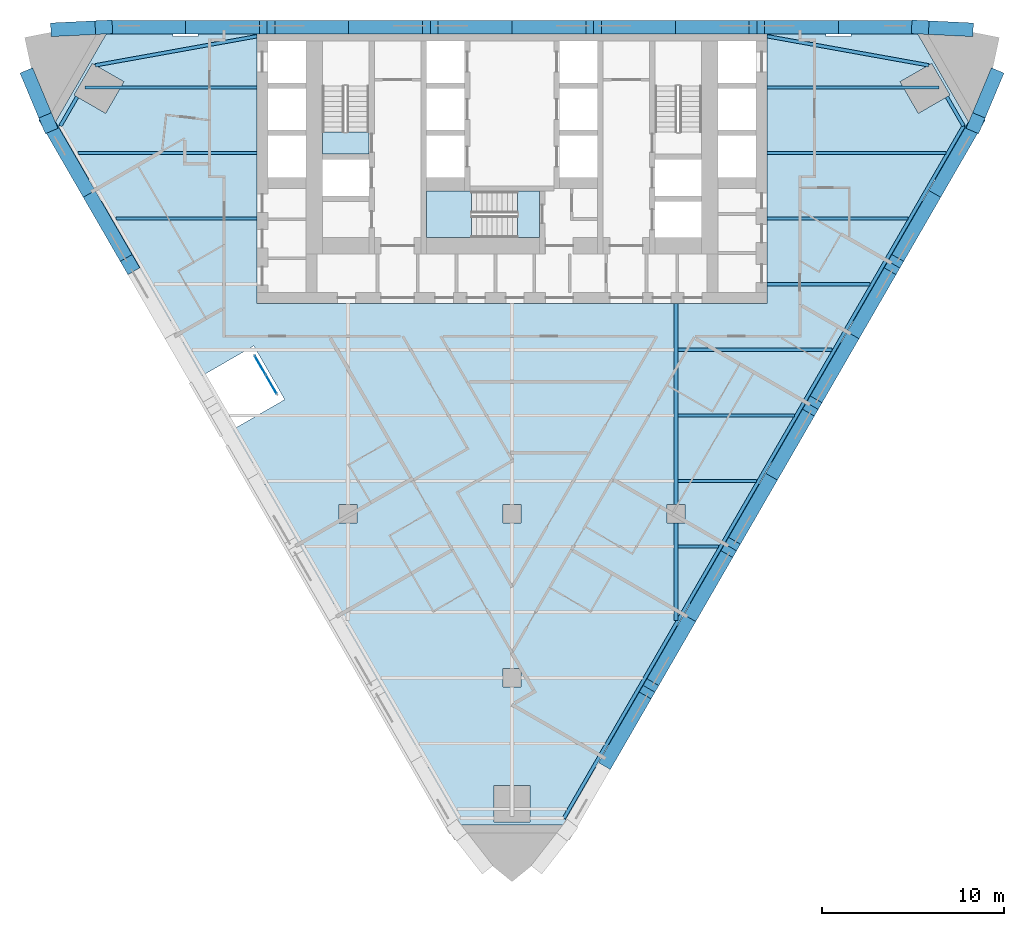
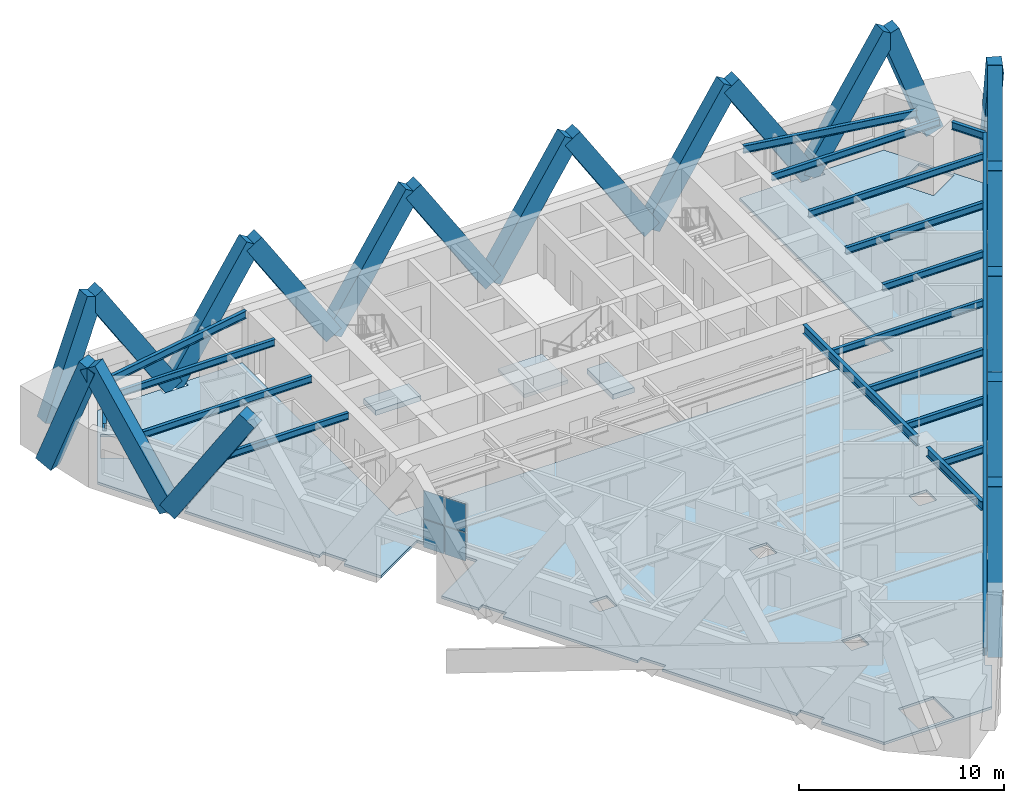
# One storey, part 3 of 12: 25 members, 18 beams, 4 plates, 4 slabs, 2 elements without a shape of their own.
"""IFC4 building model written with IfcOpenShell, lengths in metres."""

import ifcopenshell
import ifcopenshell.guid

model = None  # the IFC model being written
_history = None  # IfcOwnerHistory: only IFC2X3 demands one
_inside = {}  # id of a spatial element -> (the spatial element, [elements in it])
_under = {}  # id of a project, library or spatial element -> (it, [spatial elements below it])
_declared = {}  # id of a project -> (the project, [libraries it declares])
_typed = {}  # id of a type object -> (the type object, [elements of that type])
_made_of = {}  # id of a material, layer set ... -> (it, [elements and type objects made of it])


def new_model(schema):
    """Start an empty IFC model of exactly this schema.

    Asked for "IFC4X3", IfcOpenShell would pick the latest addendum, in which some entities
    have other attributes; the version numbers below select the first issue.
    IFC2X3 requires an IfcOwnerHistory on every rooted entity: one is made here for all.
    """
    global model, _history
    if schema == "IFC4X3":
        model = ifcopenshell.file(schema_version=(4, 3, 0, 0))
    else:
        model = ifcopenshell.file(schema=schema)
    _inside.clear()
    _under.clear()
    _declared.clear()
    _typed.clear()
    _made_of.clear()
    _history = None
    if model.schema == "IFC2X3":
        org = make("IfcOrganization", Name="unknown")
        user = make(
            "IfcPersonAndOrganization",
            ThePerson=make("IfcPerson", FamilyName="unknown"),
            TheOrganization=org,
        )
        app = make(
            "IfcApplication",
            ApplicationDeveloper=org,
            Version="unknown",
            ApplicationFullName="unknown",
            ApplicationIdentifier="unknown",
        )
        _history = make(
            "IfcOwnerHistory",
            OwningUser=user,
            OwningApplication=app,
            ChangeAction="ADDED",
            CreationDate=0,
        )
    return model


def make(cls, **values):
    """One entity of the class cls with the attributes given. An attribute that is None is left unset."""
    return model.create_entity(
        cls, **{name: value for name, value in values.items() if value is not None}
    )


def rooted(cls, **values):
    """An entity with a GlobalId (a new one), such as an element, a storey or a relation."""
    return make(cls, GlobalId=ifcopenshell.guid.new(), OwnerHistory=_history, **values)


def si_unit(unit_type, name, prefix=None):
    """IfcSIUnit, for example si_unit("LENGTHUNIT", "METRE", prefix="MILLI")."""
    return make("IfcSIUnit", UnitType=unit_type, Prefix=prefix, Name=name)


def assignment(units):
    """IfcUnitAssignment: the units of a project."""
    return None if units is None else make("IfcUnitAssignment", Units=units)


def point(xyz):
    """IfcCartesianPoint."""
    return None if xyz is None else make("IfcCartesianPoint", Coordinates=xyz)


def direction(xyz):
    """IfcDirection."""
    return None if xyz is None else make("IfcDirection", DirectionRatios=xyz)


def frame(location, z_axis=None, x_axis=None):
    """IfcAxis2Placement3D, a coordinate frame: its origin and axes. An axis left out is left unset."""
    return make(
        "IfcAxis2Placement3D",
        Location=point(location),
        Axis=direction(z_axis),
        RefDirection=direction(x_axis),
    )


def frame_2d(location, x_axis=None):
    """IfcAxis2Placement2D, a coordinate frame in the plane: its origin and x axis."""
    return make(
        "IfcAxis2Placement2D", Location=point(location), RefDirection=direction(x_axis)
    )


def origin():
    """The frame at (0, 0, 0) with its axes left unset."""
    return frame((0.0, 0.0, 0.0))


def origin_2d():
    """The frame at (0, 0) in the plane with its x axis left unset."""
    return frame_2d((0.0, 0.0))


def place(relative_to, where):
    """IfcLocalPlacement: puts the frame where relative to a parent placement (None: the world)."""
    return make(
        "IfcLocalPlacement", PlacementRelTo=relative_to, RelativePlacement=where
    )


def context(
    kind, dimensions, precision=None, world=None, true_north=None, identifier=None
):
    """IfcGeometricRepresentationContext, for example the 3D "Model" context."""
    return make(
        "IfcGeometricRepresentationContext",
        ContextIdentifier=identifier,
        ContextType=kind,
        CoordinateSpaceDimension=dimensions,
        Precision=precision,
        WorldCoordinateSystem=world,
        TrueNorth=true_north,
    )


def subcontext(parent, identifier, kind, view, scale=None):
    """IfcGeometricRepresentationSubContext, for example "Body" below "Model"."""
    return make(
        "IfcGeometricRepresentationSubContext",
        ContextIdentifier=identifier,
        ContextType=kind,
        ParentContext=parent,
        TargetScale=scale,
        TargetView=view,
    )


def project(units=None, contexts=None):
    """IfcProject with its units and contexts."""
    return rooted(
        "IfcProject",
        Name="project",
        RepresentationContexts=contexts,
        UnitsInContext=assignment(units),
    )


def spatial(cls, under=None, at=None, **own):
    """A site, building, storey or space (cls), placed at a placement, below another one or the project."""
    s = rooted(cls, ObjectPlacement=at, **own)
    if under is not None:
        _under.setdefault(under.id(), (under, []))[1].append(s)
    return s


def polyline(points):
    """IfcPolyline through the points."""
    return make("IfcPolyline", Points=[point(p) for p in points])


def profile(cls, at=None, kind="AREA", **sizes):
    """A parametric profile (cls). Its sizes go by their IFC names, for example OverallWidth=200.0."""
    return make(cls, ProfileType=kind, Position=at, **sizes)


def rectangle(**sizes):
    """IfcRectangleProfileDef."""
    return profile("IfcRectangleProfileDef", **sizes)


def i_section(**sizes):
    """IfcIShapeProfileDef."""
    return profile("IfcIShapeProfileDef", **sizes)


def outline(outer, holes=None, kind="AREA"):
    """IfcArbitraryClosedProfileDef: a profile drawn as a closed curve; with holes, ...WithVoids."""
    if holes is None:
        return make("IfcArbitraryClosedProfileDef", ProfileType=kind, OuterCurve=outer)
    return make(
        "IfcArbitraryProfileDefWithVoids",
        ProfileType=kind,
        OuterCurve=outer,
        InnerCurves=holes,
    )


def extrude(swept, where, along, depth):
    """IfcExtrudedAreaSolid: the profile swept, set in the frame where, extruded along a direction by depth."""
    return make(
        "IfcExtrudedAreaSolid",
        SweptArea=swept,
        Position=where,
        ExtrudedDirection=direction(along),
        Depth=depth,
    )


def shape(context_of_items, identifier, shape_type, items):
    """IfcShapeRepresentation: the items that make up one representation, for example the "Body"."""
    return make(
        "IfcShapeRepresentation",
        ContextOfItems=context_of_items,
        RepresentationIdentifier=identifier,
        RepresentationType=shape_type,
        Items=items,
    )


def material(Name=None, Category=None):
    """IfcMaterial."""
    return make("IfcMaterial", Name=Name, Category=Category)


def layer(
    of_material, thickness, ventilated=None, Name=None, Category=None, Priority=None
):
    """IfcMaterialLayer: one layer of a wall or slab, of a material (None: an air gap)."""
    return make(
        "IfcMaterialLayer",
        Material=of_material,
        LayerThickness=thickness,
        IsVentilated=ventilated,
        Name=Name,
        Category=Category,
        Priority=Priority,
    )


def layer_set(layers, Name=None):
    """IfcMaterialLayerSet."""
    return make("IfcMaterialLayerSet", MaterialLayers=layers, LayerSetName=Name)


def material_profile(
    of_material, cross_section, Name=None, Category=None, Priority=None
):
    """IfcMaterialProfile: a cross section and its material."""
    return make(
        "IfcMaterialProfile",
        Name=Name,
        Material=of_material,
        Profile=cross_section,
        Priority=Priority,
        Category=Category,
    )


def profile_set(profiles, Name=None, composite=None):
    """IfcMaterialProfileSet."""
    return make(
        "IfcMaterialProfileSet",
        Name=Name,
        MaterialProfiles=profiles,
        CompositeProfile=composite,
    )


def made_of(thing, what):
    """Note that an element or type object is made of a material, layer set ...; save() writes the relation."""
    if what is not None:
        _made_of.setdefault(what.id(), (what, []))[1].append(thing)
    return thing


def type_object(cls, material=None, **own):
    """A type object (cls), such as IfcWallType, which elements share."""
    return made_of(rooted(cls, **own), material)


def element(
    cls,
    number,
    at=None,
    inside=None,
    cuts=None,
    type_object=None,
    material=None,
    context=None,
    identifier="Body",
    shape_type=None,
    held_by="IfcProductDefinitionShape",
    body=None,
    shapes=None,
    **own,
):
    """One element of the class cls, such as IfcWall. Its Tag is "e" and its number.

    at: its placement. inside: the storey or other place that contains it. cuts: it is an
    opening in that element (IfcRelVoidsElement). A single representation is given by context,
    identifier, shape_type and body (its items); several are given by shapes. held_by: the class
    of the entity that holds the representations. save() writes the other relations.
    """
    e = rooted(cls, Tag="e%d" % number, ObjectPlacement=at, **own)
    if body is not None:
        shapes = [shape(context, identifier, shape_type, body)]
    if shapes is not None:
        e.Representation = make(held_by, Representations=shapes)
    if inside is not None:
        _inside.setdefault(inside.id(), (inside, []))[1].append(e)
    if cuts is not None:
        rooted(
            "IfcRelVoidsElement", RelatingBuildingElement=cuts, RelatedOpeningElement=e
        )
    if type_object is not None:
        _typed.setdefault(type_object.id(), (type_object, []))[1].append(e)
    return made_of(e, material)


def aggregate(whole, parts):
    """IfcRelAggregates: a whole, such as a stair, and the parts it consists of."""
    return rooted("IfcRelAggregates", RelatingObject=whole, RelatedObjects=parts)


def save(model, path):
    """Write the relations noted so far, then the file.

    IfcRelAggregates (storeys below a building ...), IfcRelContainedInSpatialStructure (elements
    in a storey), IfcRelDefinesByType, IfcRelAssociatesMaterial and IfcRelDeclares: one each for
    every whole, place, type object, material and project.
    """
    for whole, parts in _under.values():
        aggregate(whole, parts)
    for where, things in _inside.values():
        rooted(
            "IfcRelContainedInSpatialStructure",
            RelatedElements=things,
            RelatingStructure=where,
        )
    for kind, things in _typed.values():
        rooted("IfcRelDefinesByType", RelatedObjects=things, RelatingType=kind)
    for what, things in _made_of.values():
        rooted("IfcRelAssociatesMaterial", RelatedObjects=things, RelatingMaterial=what)
    for by, libraries in _declared.values():
        rooted("IfcRelDeclares", RelatingContext=by, RelatedDefinitions=libraries)
    model.write(path)


model = new_model("IFC4")

# Units and contexts
model_context = context("Model", 3, precision=1e-05, world=origin(), true_north=direction((0.0, 1.0)))
body_context = subcontext(model_context, "Body", "Model", "MODEL_VIEW")
ifc_project = project(units=[si_unit("LENGTHUNIT", "METRE"), si_unit("AREAUNIT", "SQUARE_METRE"), si_unit("VOLUMEUNIT", "CUBIC_METRE"), si_unit("PLANEANGLEUNIT", "RADIAN"), si_unit("MASSUNIT", "GRAM", prefix="KILO")], contexts=[model_context])

# Site, building, storey
site_placement = place(None, origin())
site = spatial("IfcSite", under=ifc_project, at=site_placement, CompositionType="ELEMENT")
building_placement = place(site_placement, origin())
building = spatial("IfcBuilding", under=site, at=building_placement, Name="Aloe Facet Convention Tower", CompositionType="ELEMENT")
storey_placement = place(building_placement, frame((0.0, 0.0, 56.0)))
storey = spatial("IfcBuildingStorey", under=building, at=storey_placement, Name="L12", CompositionType="ELEMENT", Elevation=56.0)

# Beams
ifc_material_1 = material(Name="Steel S355", Category="steel")
ifc_material_profile_1 = material_profile(ifc_material_1, i_section(OverallWidth=0.177734375, OverallDepth=0.402587890625, WebThickness=0.0078125, FlangeThickness=0.010986328125, FilletRadius=0.01025390625, at=origin_2d()), Name="UB 406x178x54")
ifc_profile_set_1 = profile_set([ifc_material_profile_1], Name="Steel S355")
beam_type_1 = type_object("IfcBeamType", Name="SF-B-UB406x178x54", PredefinedType="BEAM", material=ifc_profile_set_1)
beam_1_placement = place(storey_placement, frame((56.194580078125, 127.800048828125, 3.148681640625), z_axis=(1.0, 0.0, 0.0), x_axis=(0.0, 1.0, 0.0)))
element("IfcBeam", 1, at=beam_1_placement, inside=storey, type_object=beam_type_1, Name="Floor beam FB-Z1B-016", PredefinedType="BEAM", context=body_context, shape_type="SweptSolid", body=[
    extrude(i_section(OverallWidth=0.177734375, OverallDepth=0.402587890625, WebThickness=0.0078125, FlangeThickness=0.010986328125, FilletRadius=0.01025390625, at=origin_2d()), origin(), (0.0, 0.0, 1.0), 9.805419921875),
])
beam_2_placement = place(storey_placement, frame((56.55908203125, 131.39990234375, 3.148681640625), z_axis=(1.0, 0.0, 0.0), x_axis=(0.0, 1.0, 0.0)))
element("IfcBeam", 2, at=beam_2_placement, inside=storey, type_object=beam_type_1, Name="Floor beam FB-Z1B-017", PredefinedType="BEAM", context=body_context, shape_type="SweptSolid", body=[
    extrude(i_section(OverallWidth=0.177734375, OverallDepth=0.402587890625, WebThickness=0.0078125, FlangeThickness=0.010986328125, FilletRadius=0.01025390625, at=origin_2d()), origin(), (0.0, 0.0, 1.0), 9.44091796875),
])
beam_3_placement = place(storey_placement, frame((58.27294921875, 124.199951171875, 3.148681640625), z_axis=(1.0, 0.0, 0.0), x_axis=(0.0, 1.0, 0.0)))
element("IfcBeam", 3, at=beam_3_placement, inside=storey, type_object=beam_type_1, Name="Floor beam FB-Z1B-018", PredefinedType="BEAM", context=body_context, shape_type="SweptSolid", body=[
    extrude(i_section(OverallWidth=0.177734375, OverallDepth=0.402587890625, WebThickness=0.0078125, FlangeThickness=0.010986328125, FilletRadius=0.01025390625, at=origin_2d()), origin(), (0.0, 0.0, 1.0), 7.72705078125),
])
beam_4_placement = place(storey_placement, frame((89.10546875, 106.199951171875, 3.148681640625), z_axis=(1.0, 0.0, 0.0), x_axis=(0.0, 1.0, 0.0)))
element("IfcBeam", 4, at=beam_4_placement, inside=storey, type_object=beam_type_1, Name="Floor beam FB-Z1B-040", PredefinedType="BEAM", context=body_context, shape_type="SweptSolid", body=[
    extrude(i_section(OverallWidth=0.177734375, OverallDepth=0.402587890625, WebThickness=0.0078125, FlangeThickness=0.010986328125, FilletRadius=0.01025390625, at=origin_2d()), origin(), (0.0, 0.0, 1.0), 2.229248046875),
])
beam_5_placement = place(storey_placement, frame((89.10546875, 109.800048828125, 3.148681640625), z_axis=(1.0, 0.0, 0.0), x_axis=(0.0, 1.0, 0.0)))
element("IfcBeam", 5, at=beam_5_placement, inside=storey, type_object=beam_type_1, Name="Floor beam FB-Z1B-041", PredefinedType="BEAM", context=body_context, shape_type="SweptSolid", body=[
    extrude(i_section(OverallWidth=0.177734375, OverallDepth=0.402587890625, WebThickness=0.0078125, FlangeThickness=0.010986328125, FilletRadius=0.01025390625, at=origin_2d()), origin(), (0.0, 0.0, 1.0), 4.3076171875),
])
beam_6_placement = place(storey_placement, frame((89.10546875, 113.39990234375, 3.148681640625), z_axis=(1.0, 0.0, 0.0), x_axis=(0.0, 1.0, 0.0)))
element("IfcBeam", 6, at=beam_6_placement, inside=storey, type_object=beam_type_1, Name="Floor beam FB-Z1B-042", PredefinedType="BEAM", context=body_context, shape_type="SweptSolid", body=[
    extrude(i_section(OverallWidth=0.177734375, OverallDepth=0.402587890625, WebThickness=0.0078125, FlangeThickness=0.010986328125, FilletRadius=0.01025390625, at=origin_2d()), origin(), (0.0, 0.0, 1.0), 6.38623046875),
])
beam_7_placement = place(storey_placement, frame((89.10546875, 117.0, 3.148681640625), z_axis=(1.0, 0.0, 0.0), x_axis=(0.0, 1.0, 0.0)))
element("IfcBeam", 7, at=beam_7_placement, inside=storey, type_object=beam_type_1, Name="Floor beam FB-Z1B-043", PredefinedType="BEAM", context=body_context, shape_type="SweptSolid", body=[
    extrude(i_section(OverallWidth=0.177734375, OverallDepth=0.402587890625, WebThickness=0.0078125, FlangeThickness=0.010986328125, FilletRadius=0.01025390625, at=origin_2d()), origin(), (0.0, 0.0, 1.0), 8.464599609375),
])
beam_8_placement = place(storey_placement, frame((94.0, 120.60009765625, 3.148681640625), z_axis=(1.0, 0.0, 0.0), x_axis=(0.0, 1.0, 0.0)))
element("IfcBeam", 8, at=beam_8_placement, inside=storey, type_object=beam_type_1, Name="Floor beam FB-Z1B-044", PredefinedType="BEAM", context=body_context, shape_type="SweptSolid", body=[
    extrude(i_section(OverallWidth=0.177734375, OverallDepth=0.402587890625, WebThickness=0.0078125, FlangeThickness=0.010986328125, FilletRadius=0.01025390625, at=origin_2d()), origin(), (0.0, 0.0, 1.0), 5.648681640625),
])
beam_9_placement = place(storey_placement, frame((94.0, 124.199951171875, 3.148681640625), z_axis=(1.0, 0.0, 0.0), x_axis=(0.0, 1.0, 0.0)))
element("IfcBeam", 9, at=beam_9_placement, inside=storey, type_object=beam_type_1, Name="Floor beam FB-Z1B-045", PredefinedType="BEAM", context=body_context, shape_type="SweptSolid", body=[
    extrude(i_section(OverallWidth=0.177734375, OverallDepth=0.402587890625, WebThickness=0.0078125, FlangeThickness=0.010986328125, FilletRadius=0.01025390625, at=origin_2d()), origin(), (0.0, 0.0, 1.0), 7.72705078125),
])
beam_10_placement = place(storey_placement, frame((94.0, 127.800048828125, 3.148681640625), z_axis=(1.0, 0.0, 0.0), x_axis=(0.0, 1.0, 0.0)))
element("IfcBeam", 10, at=beam_10_placement, inside=storey, type_object=beam_type_1, Name="Floor beam FB-Z1B-046", PredefinedType="BEAM", context=body_context, shape_type="SweptSolid", body=[
    extrude(i_section(OverallWidth=0.177734375, OverallDepth=0.402587890625, WebThickness=0.0078125, FlangeThickness=0.010986328125, FilletRadius=0.01025390625, at=origin_2d()), origin(), (0.0, 0.0, 1.0), 9.805419921875),
])
beam_11_placement = place(storey_placement, frame((94.0, 131.39990234375, 3.148681640625), z_axis=(1.0, 0.0, 0.0), x_axis=(0.0, 1.0, 0.0)))
element("IfcBeam", 11, at=beam_11_placement, inside=storey, type_object=beam_type_1, Name="Floor beam FB-Z1B-047", PredefinedType="BEAM", context=body_context, shape_type="SweptSolid", body=[
    extrude(i_section(OverallWidth=0.177734375, OverallDepth=0.402587890625, WebThickness=0.0078125, FlangeThickness=0.010986328125, FilletRadius=0.01025390625, at=origin_2d()), origin(), (0.0, 0.0, 1.0), 9.44091796875),
])
ifc_material_2 = material(Name="Steel S355", Category="steel")
ifc_material_profile_2 = material_profile(ifc_material_2, i_section(OverallWidth=0.18994140625, OverallDepth=0.453369140625, WebThickness=0.008544921875, FlangeThickness=0.0126953125, FilletRadius=0.01025390625, at=origin_2d()), Name="UB 457x191x67")
ifc_profile_set_2 = profile_set([ifc_material_profile_2], Name="Steel S355")
beam_type_2 = type_object("IfcBeamType", Name="SF-B-UB457x191x67", PredefinedType="BEAM", material=ifc_profile_set_2)
beam_12_placement = place(storey_placement, frame((55.218017578125, 129.2841796875, 3.123291015625), z_axis=(0.499932904579, 0.866064137879, 0.0), x_axis=(-0.866064137879, 0.499932904579, 0.0)))
element("IfcBeam", 12, at=beam_12_placement, inside=storey, type_object=beam_type_2, Name="Floor beam FB-Z1B-001", PredefinedType="BEAM", context=body_context, shape_type="SweptSolid", body=[
    extrude(i_section(OverallWidth=0.18994140625, OverallDepth=0.453369140625, WebThickness=0.008544921875, FlangeThickness=0.0126953125, FilletRadius=0.01025390625, at=origin_2d()), origin(), (0.0, 0.0, 1.0), 1.841064453125),
])
for number, where, z_axis, x_axis, name in (
    (13, (57.138427734375, 132.610595703125, 3.123291015625), (0.984194951593, 0.177088388265, 0.0), (-0.177088388265, 0.984194951593, 0.0), "Floor beam FB-Z1B-002"),
    (14, (102.861572265625, 132.610595703125, 3.123291015625), (-0.984194951593, 0.177088388265, 0.0), (-0.177088388265, -0.984194951593, 0.0), "Floor beam FB-Z1B-006"),
):
    element("IfcBeam", number, at=place(storey_placement, frame(where, z_axis=z_axis, x_axis=x_axis)), inside=storey, type_object=beam_type_2, Name=name, PredefinedType="BEAM", context=body_context, shape_type="SweptSolid", body=[
        extrude(i_section(OverallWidth=0.18994140625, OverallDepth=0.453369140625, WebThickness=0.008544921875, FlangeThickness=0.0126953125, FilletRadius=0.01025390625, at=origin_2d()), origin(), (0.0, 0.0, 1.0), 9.00390625),
    ])
beam_13_placement = place(storey_placement, frame((103.861572265625, 130.878662109375, 3.123291015625), z_axis=(0.499932904579, -0.866064137879, 0.0), x_axis=(0.866064137879, 0.499932904579, 0.0)))
element("IfcBeam", 15, at=beam_13_placement, inside=storey, type_object=beam_type_2, Name="Floor beam FB-Z1B-007", PredefinedType="BEAM", context=body_context, shape_type="SweptSolid", body=[
    extrude(i_section(OverallWidth=0.18994140625, OverallDepth=0.453369140625, WebThickness=0.008544921875, FlangeThickness=0.0126953125, FilletRadius=0.01025390625, at=origin_2d()), origin(), (0.0, 0.0, 1.0), 1.841064453125),
])
beam_14_placement = place(storey_placement, frame((104.781982421875, 129.2841796875, 3.123291015625), z_axis=(-0.499998569178, -0.866026229868, 0.0), x_axis=(0.866026229868, -0.499998569178, 0.0)))
element("IfcBeam", 16, at=beam_14_placement, inside=storey, type_object=beam_type_2, Name="Floor beam FB-Z1B-008", PredefinedType="BEAM", context=body_context, shape_type="SweptSolid", body=[
    extrude(i_section(OverallWidth=0.18994140625, OverallDepth=0.453369140625, WebThickness=0.008544921875, FlangeThickness=0.0126953125, FilletRadius=0.01025390625, at=origin_2d()), origin(), (0.0, 0.0, 1.0), 43.882080078125),
])
ifc_material_3 = material(Name="Steel S355", Category="steel")
ifc_material_profile_3 = material_profile(ifc_material_3, i_section(OverallWidth=0.210693359375, OverallDepth=0.53955078125, WebThickness=0.01171875, FlangeThickness=0.018798828125, FilletRadius=0.0126953125, at=origin_2d()), Name="UB 533x210x109")
ifc_profile_set_3 = profile_set([ifc_material_profile_3], Name="Steel S355")
beam_type_3 = type_object("IfcBeamType", Name="SF-B-UB533x210x109", PredefinedType="BEAM", material=ifc_profile_set_3)
beam_15_placement = place(storey_placement, frame((89.0, 107.5, 3.080078125), z_axis=(0.0, -1.0, 0.0), x_axis=(1.0, 0.0, 0.0)))
element("IfcBeam", 17, at=beam_15_placement, inside=storey, type_object=beam_type_3, Name="Floor beam FB-Z1B-014", PredefinedType="BEAM", context=body_context, shape_type="SweptSolid", body=[
    extrude(i_section(OverallWidth=0.210693359375, OverallDepth=0.53955078125, WebThickness=0.01171875, FlangeThickness=0.018798828125, FilletRadius=0.0126953125, at=origin_2d()), origin(), (0.0, 0.0, 1.0), 5.351318359375),
])
beam_16_placement = place(storey_placement, frame((89.0, 119.550048828125, 3.080078125), z_axis=(0.0, -1.0, 0.0), x_axis=(1.0, 0.0, 0.0)))
element("IfcBeam", 18, at=beam_16_placement, inside=storey, type_object=beam_type_3, Name="Floor beam FB-Z1B-015", PredefinedType="BEAM", context=body_context, shape_type="SweptSolid", body=[
    extrude(i_section(OverallWidth=0.210693359375, OverallDepth=0.53955078125, WebThickness=0.01171875, FlangeThickness=0.018798828125, FilletRadius=0.0126953125, at=origin_2d()), origin(), (0.0, 0.0, 1.0), 11.050048828125),
])

# Members
ifc_material_4 = material(Name="Concrete C60/75, bronze oxide finish", Category="concrete")
ifc_material_profile_4 = material_profile(ifc_material_4, rectangle(XDim=0.75, YDim=1.0, at=origin_2d()), Name="STW-LM")
ifc_profile_set_4 = profile_set([ifc_material_profile_4], Name="Concrete C60/75, bronze oxide finish")
member_type = type_object("IfcMemberType", Name="STW-LM", PredefinedType="BRACE", material=ifc_profile_set_4)
for number, where, z_axis, x_axis, name in (
    (19, (97.919921875, 134.699951171875, 0.0), (0.539052029218, 0.0, 0.84227246767), (0.0, 1.0, 0.0), "Lattice member LM-Z1-F1-R3-01"),
    (20, (97.919921875, 134.699951171875, 0.0), (-0.539052029218, 0.0, 0.84227246767), (0.0, -1.0, 0.0), "Lattice member LM-Z1-F1-R3-02"),
    (21, (88.9599609375, 134.699951171875, 0.0), (0.539052029218, 0.0, 0.84227246767), (0.0, 1.0, 0.0), "Lattice member LM-Z1-F1-R3-03"),
    (22, (88.9599609375, 134.699951171875, 0.0), (-0.539052029218, 0.0, 0.84227246767), (0.0, -1.0, 0.0), "Lattice member LM-Z1-F1-R3-04"),
    (23, (80.0, 134.699951171875, 0.0), (0.539052029218, 0.0, 0.84227246767), (0.0, 1.0, 0.0), "Lattice member LM-Z1-F1-R3-05"),
    (24, (80.0, 134.699951171875, 0.0), (-0.539052029218, 0.0, 0.84227246767), (0.0, -1.0, 0.0), "Lattice member LM-Z1-F1-R3-06"),
    (25, (71.0400390625, 134.699951171875, 0.0), (0.539052029218, 0.0, 0.84227246767), (0.0, 1.0, 0.0), "Lattice member LM-Z1-F1-R3-07"),
    (26, (71.0400390625, 134.699951171875, 0.0), (-0.539052029218, 0.0, 0.84227246767), (0.0, -1.0, 0.0), "Lattice member LM-Z1-F1-R3-08"),
    (27, (62.080078125, 134.699951171875, 0.0), (0.539052029218, 0.0, 0.84227246767), (0.0, 1.0, 0.0), "Lattice member LM-Z1-F1-R3-09"),
    (28, (62.080078125, 134.699951171875, 0.0), (-0.539052029218, 0.0, 0.84227246767), (0.0, -1.0, 0.0), "Lattice member LM-Z1-F1-R3-10"),
    (29, (56.7998046875, 125.554443359375, 0.0), (-0.269524411036, 0.466842718276, 0.842267456482), (-0.866031314237, -0.499989762656, 0.0), "Lattice member LM-Z1-F2-R3-01"),
    (30, (56.7998046875, 125.554443359375, 0.0), (0.269524411036, -0.466842718276, 0.842267456482), (0.866031314237, 0.499989762656, 0.0), "Lattice member LM-Z1-F2-R3-02"),
    (31, (85.2802734375, 94.51611328125, 0.0), (0.269524411036, 0.466842718276, 0.842267456482), (-0.866031314237, 0.499989762656, 0.0), "Lattice member LM-Z1-F3-R3-02"),
    (32, (89.76025390625, 102.275634765625, 0.0), (-0.26952810724, -0.466819744104, 0.842279007171), (0.866017690131, -0.500013360201, 0.0), "Lattice member LM-Z1-F3-R3-03"),
    (33, (89.76025390625, 102.275634765625, 0.0), (0.269524411036, 0.466842718276, 0.842267456482), (-0.866031314237, 0.499989762656, 0.0), "Lattice member LM-Z1-F3-R3-04"),
    (34, (94.240234375, 110.03515625, 0.0), (-0.26952810724, -0.466819744104, 0.842279007171), (0.866017690131, -0.500013360201, 0.0), "Lattice member LM-Z1-F3-R3-05"),
    (35, (94.240234375, 110.03515625, 0.0), (0.269524411036, 0.466842718276, 0.842267456482), (-0.866031314237, 0.499989762656, 0.0), "Lattice member LM-Z1-F3-R3-06"),
    (36, (98.72021484375, 117.794921875, 0.0), (-0.269524411036, -0.466842718276, 0.842267456482), (0.866031314237, -0.499989762656, 0.0), "Lattice member LM-Z1-F3-R3-07"),
    (37, (98.72021484375, 117.794921875, 0.0), (0.26952810724, 0.466819744104, 0.842279007171), (-0.866017690131, 0.500013360201, 0.0), "Lattice member LM-Z1-F3-R3-08"),
    (38, (103.2001953125, 125.554443359375, 0.0), (-0.269524411036, -0.466842718276, 0.842267456482), (0.866031314237, -0.499989762656, 0.0), "Lattice member LM-Z1-F3-R3-09"),
    (39, (103.2001953125, 125.554443359375, 0.0), (0.269524411036, 0.466842718276, 0.842267456482), (-0.866031314237, 0.499989762656, 0.0), "Lattice member LM-Z1-F3-R3-10"),
):
    element("IfcMember", number, at=place(storey_placement, frame(where, z_axis=z_axis, x_axis=x_axis)), inside=storey, type_object=member_type, Name=name, PredefinedType="BRACE", context=body_context, shape_type="SweptSolid", body=[
        extrude(rectangle(XDim=0.75, YDim=1.0, at=origin_2d()), origin(), (0.0, 0.0, 1.0), 8.310791015625),
    ])
member_1_placement = place(storey_placement, frame((106.47265625, 131.8984375, 0.122314453125), z_axis=(-0.13993201499, -0.333964016858, 0.93214111948), x_axis=(0.922309982235, -0.386450898135, 0.0)))
element("IfcMember", 40, at=member_1_placement, inside=storey, type_object=member_type, Name="Lattice member LM-Z1-F6-R2-05", PredefinedType="BRACE", context=body_context, shape_type="SweptSolid", body=[
    extrude(rectangle(XDim=0.75, YDim=1.0, at=origin_2d()), origin(), (0.0, 0.0, 1.0), 7.37841796875),
])
for number, where, z_axis, x_axis, name in (
    (41, (104.83642578125, 134.581787109375, 0.366455078125), (-0.344733243732, 0.016718526049, 0.938551800144), (-0.048440062936, -0.99882609112, 0.0), "Lattice member LM-Z1-F6-R2-06"),
    (42, (55.16357421875, 134.581787109375, 0.366455078125), (0.344733243732, 0.016718526049, 0.938551800144), (-0.048440062936, 0.99882609112, 0.0), "Lattice member LM-Z1-F4-R2-05"),
):
    element("IfcMember", number, at=place(storey_placement, frame(where, z_axis=z_axis, x_axis=x_axis)), inside=storey, type_object=member_type, Name=name, PredefinedType="BRACE", context=body_context, shape_type="SweptSolid", body=[
        extrude(rectangle(XDim=0.75, YDim=1.0, at=origin_2d()), origin(), (0.0, 0.0, 1.0), 7.06787109375),
    ])
member_2_placement = place(storey_placement, frame((53.52734375, 131.8984375, 0.122314453125), z_axis=(0.13993201499, -0.333964016858, 0.93214111948), x_axis=(0.922309982235, 0.386450898135, 0.0)))
element("IfcMember", 43, at=member_2_placement, inside=storey, type_object=member_type, Name="Lattice member LM-Z1-F4-R2-06", PredefinedType="BRACE", context=body_context, shape_type="SweptSolid", body=[
    extrude(rectangle(XDim=0.75, YDim=1.0, at=origin_2d()), origin(), (0.0, 0.0, 1.0), 7.37841796875),
])

# Slabs
ifc_material_5 = material(Name="Concrete C80/95", Category="concrete")
ifc_layer_1 = layer(ifc_material_5, 0.300048828125)
ifc_layer_set_1 = layer_set([ifc_layer_1], Name="CR-S-FLOOR300-C8095")
slab_type_1 = type_object("IfcSlabType", Name="CR-S-FLOOR300-C8095", PredefinedType="FLOOR", material=ifc_layer_set_1)
slab_1_placement = place(storey_placement, frame((0.0, 0.0, -0.300048828125)))
element("IfcSlab", 44, at=slab_1_placement, inside=storey, type_object=slab_type_1, Name="Stair landing floor L12", PredefinedType="FLOOR", context=body_context, shape_type="SweptSolid", body=[
    extrude(outline(polyline([(72.14990234375, 127.75), (72.14990234375, 128.951171875), (69.60009765625, 128.951171875), (69.60009765625, 127.75), (72.14990234375, 127.75)])), origin(), (0.0, 0.0, 1.0), 0.300048828125),
])
slab_2_placement = place(storey_placement, frame((0.0, 0.0, -0.300048828125)))
element("IfcSlab", 45, at=slab_2_placement, inside=storey, type_object=slab_type_1, Name="Stair landing floor L12", PredefinedType="FLOOR", context=body_context, shape_type="SweptSolid", body=[
    extrude(outline(polyline([(81.5, 125.699951171875), (80.298828125, 125.699951171875), (80.298828125, 123.14990234375), (81.5, 123.14990234375), (81.5, 125.699951171875)])), origin(), (0.0, 0.0, 1.0), 0.300048828125),
])

# Stair, slab
ifc_material_6 = material(Name="Concrete C50/60", Category="concrete")
stair_type = type_object("IfcStairType", Name="CR-ST-20R", PredefinedType="HALF_TURN_STAIR", material=ifc_material_6)
stair_placement = place(storey_placement, origin())
stair = element("IfcStair", 46, at=stair_placement, inside=storey, type_object=stair_type, Name="L12 Protected exit stair ST3", PredefinedType="HALF_TURN_STAIR")
ifc_material_7 = material(Name="Concrete C50/60", Category="concrete")
ifc_layer_2 = layer(ifc_material_7, 0.199951171875)
ifc_layer_set_2 = layer_set([ifc_layer_2], Name="CR-SL-LANDING")
slab_type_2 = type_object("IfcSlabType", Name="CR-SL-LANDING", PredefinedType="LANDING", material=ifc_layer_set_2)
slab_3_placement = place(storey_placement, frame((0.0, 0.0, 1.550048828125)))
slab_3 = element("IfcSlab", 47, at=slab_3_placement, type_object=slab_type_2, Name="ST3 landing 1", PredefinedType="LANDING", context=body_context, shape_type="SweptSolid", body=[
    extrude(outline(polyline([(77.780029296875, 125.699951171875), (75.300048828125, 125.699951171875), (75.300048828125, 123.14990234375), (77.780029296875, 123.14990234375), (77.780029296875, 125.699951171875)])), origin(), (0.0, 0.0, 1.0), 0.199951171875),
])
aggregate(stair, [slab_3])

# Curtain wall, plates
ifc_material_8 = material(Name="Aluminium, anodised", Category="aluminium")
curtain_wall_type = type_object("IfcCurtainWallType", Name="EV-CW-TERRACE", PredefinedType="USERDEFINED", material=ifc_material_8)
curtain_wall_placement = place(storey_placement, origin())
curtain_wall = element("IfcCurtainWall", 48, at=curtain_wall_placement, inside=storey, type_object=curtain_wall_type, Name="CW-T02", ObjectType="TERRACE BACK GLAZING", PredefinedType="USERDEFINED")
ifc_material_9 = material(Name="Clear double glazing", Category="glass")
ifc_layer_3 = layer(ifc_material_9, 0.028076171875)
ifc_layer_set_3 = layer_set([ifc_layer_3], Name="EV-PANEL-TERRACE")
plate_type = type_object("IfcPlateType", Name="EV-PANEL-TERRACE", PredefinedType="CURTAIN_PANEL", material=ifc_layer_set_3)
plate_1_placement = place(storey_placement, frame((66.180908203125, 116.15576171875, -0.08984375), z_axis=(0.0, 0.0, 1.0), x_axis=(0.499999999909, -0.866025403837, 0.0)))
plate_1 = element("IfcPlate", 49, at=plate_1_placement, type_object=plate_type, Name="CW-T02 panel 1.1", PredefinedType="CURTAIN_PANEL", context=body_context, shape_type="SweptSolid", body=[
    extrude(rectangle(XDim=1.159912109375, YDim=0.028076171875, at=origin_2d()), origin(), (0.0, 0.0, 1.0), 1.659912109375),
])
plate_2_placement = place(storey_placement, frame((66.180908203125, 116.15576171875, 1.6298828125), z_axis=(0.0, 0.0, 1.0), x_axis=(0.499999999909, -0.866025403837, 0.0)))
plate_2 = element("IfcPlate", 50, at=plate_2_placement, type_object=plate_type, Name="CW-T02 panel 1.2", PredefinedType="CURTAIN_PANEL", context=body_context, shape_type="SweptSolid", body=[
    extrude(rectangle(XDim=1.159912109375, YDim=0.028076171875, at=origin_2d()), origin(), (0.0, 0.0, 1.0), 1.659912109375),
])
plate_3_placement = place(storey_placement, frame((66.791015625, 115.099365234375, -0.08984375), z_axis=(0.0, 0.0, 1.0), x_axis=(0.499999999909, -0.866025403837, 0.0)))
plate_3 = element("IfcPlate", 51, at=plate_3_placement, type_object=plate_type, Name="CW-T02 panel 2.1", PredefinedType="CURTAIN_PANEL", context=body_context, shape_type="SweptSolid", body=[
    extrude(rectangle(XDim=1.159912109375, YDim=0.028076171875, at=origin_2d()), origin(), (0.0, 0.0, 1.0), 1.659912109375),
])
plate_4_placement = place(storey_placement, frame((66.791015625, 115.099365234375, 1.6298828125), z_axis=(0.0, 0.0, 1.0), x_axis=(0.499999999909, -0.866025403837, 0.0)))
plate_4 = element("IfcPlate", 52, at=plate_4_placement, type_object=plate_type, Name="CW-T02 panel 2.2", PredefinedType="CURTAIN_PANEL", context=body_context, shape_type="SweptSolid", body=[
    extrude(rectangle(XDim=1.159912109375, YDim=0.028076171875, at=origin_2d()), origin(), (0.0, 0.0, 1.0), 1.659912109375),
])
aggregate(curtain_wall, [plate_1, plate_2, plate_3, plate_4])

# Slab
ifc_material_10 = material(Name="Concrete C35/45", Category="concrete")
ifc_layer_4 = layer(ifc_material_10, 0.14990234375)
ifc_layer_set_4 = layer_set([ifc_layer_4], Name="SF-FS-150")
slab_type_3 = type_object("IfcSlabType", Name="SF-FS-150", PredefinedType="FLOOR", material=ifc_layer_set_4)
slab_4_placement = place(storey_placement, frame((0.0, 0.0, -0.14990234375)))
element("IfcSlab", 53, at=slab_4_placement, inside=storey, type_object=slab_type_3, Name="Floor slab L12-1", PredefinedType="FLOOR", context=body_context, shape_type="SweptSolid", body=[
    extrude(outline(polyline([(61.75439453125, 117.272705078125), (62.0576171875, 117.447509765625), (61.830078125, 117.841796875), (61.712890625, 118.044921875), (61.6552734375, 118.144775390625), (61.595703125, 118.247802734375), (61.486572265625, 118.436767578125), (61.367919921875, 118.64208984375), (61.06494140625, 118.467041015625), (57.2744140625, 125.0322265625), (57.57763671875, 125.207275390625), (57.529541015625, 125.290283203125), (57.35009765625, 125.6015625), (57.076416015625, 126.0751953125), (56.93603515625, 126.318603515625), (56.887939453125, 126.401611328125), (56.5849609375, 126.226806640625), (54.819580078125, 129.2841796875), (57.85986328125, 134.550048828125), (61.390380859375, 134.550048828125), (61.390380859375, 134.199951171875), (61.486328125, 134.199951171875), (61.845703125, 134.199951171875), (62.080078125, 134.199951171875), (62.314453125, 134.199951171875), (62.673583984375, 134.199951171875), (62.76953125, 134.199951171875), (62.76953125, 134.550048828125), (66.0, 134.550048828125), (66.0, 131.949951171875), (66.0, 131.050048828125), (66.0, 129.35009765625), (66.0, 128.449951171875), (66.0, 126.449951171875), (66.0, 125.85009765625), (66.0, 124.689453125), (66.0, 123.639404296875), (66.0, 122.550048828125), (66.0, 121.5), (66.0, 119.550048828125), (68.699951171875, 119.550048828125), (69.300048828125, 119.550048828125), (72.10009765625, 119.550048828125), (73.14990234375, 119.550048828125), (74.300048828125, 119.550048828125), (75.35009765625, 119.550048828125), (76.433349609375, 119.550048828125), (77.4833984375, 119.550048828125), (78.566650390625, 119.550048828125), (79.61669921875, 119.550048828125), (80.699951171875, 119.550048828125), (81.75, 119.550048828125), (82.64990234375, 119.550048828125), (83.699951171875, 119.550048828125), (84.64990234375, 119.550048828125), (85.699951171875, 119.550048828125), (86.85009765625, 119.550048828125), (87.89990234375, 119.550048828125), (88.550048828125, 119.550048828125), (89.60009765625, 119.550048828125), (90.699951171875, 119.550048828125), (91.300048828125, 119.550048828125), (94.0, 119.550048828125), (94.0, 121.7841796875), (94.0, 122.834228515625), (94.0, 123.923583984375), (94.0, 124.9736328125), (94.0, 125.85009765625), (94.0, 126.449951171875), (94.0, 128.449951171875), (94.0, 129.35009765625), (94.0, 131.050048828125), (94.0, 131.949951171875), (94.0, 134.550048828125), (97.23046875, 134.550048828125), (97.23046875, 134.199951171875), (97.326416015625, 134.199951171875), (97.685546875, 134.199951171875), (97.919921875, 134.199951171875), (98.154296875, 134.199951171875), (98.513671875, 134.199951171875), (98.609619140625, 134.199951171875), (98.609619140625, 134.550048828125), (102.14013671875, 134.550048828125), (105.180419921875, 129.2841796875), (103.4150390625, 126.226806640625), (103.112060546875, 126.401611328125), (103.06396484375, 126.318603515625), (103.06396484375, 126.318603515625), (102.76708984375, 125.804443359375), (102.470458984375, 125.290283203125), (102.470458984375, 125.290283203125), (102.42236328125, 125.207275390625), (102.7255859375, 125.0322265625), (98.93505859375, 118.467041015625), (98.632080078125, 118.64208984375), (98.583984375, 118.55908203125), (98.287109375, 118.044921875), (98.169921875, 117.841796875), (97.9423828125, 117.447509765625), (98.24560546875, 117.272705078125), (94.455078125, 110.70751953125), (94.152099609375, 110.882568359375), (93.93896484375, 110.513427734375), (93.80712890625, 110.285400390625), (93.68994140625, 110.082275390625), (93.46240234375, 109.68798828125), (93.765380859375, 109.512939453125), (89.97509765625, 102.947998046875), (89.672119140625, 103.122802734375), (89.6240234375, 103.039794921875), (89.4443359375, 102.728759765625), (89.3271484375, 102.525634765625), (89.2099609375, 102.32275390625), (89.030517578125, 102.01171875), (88.982421875, 101.928466796875), (89.285400390625, 101.75341796875), (85.4951171875, 95.188232421875), (85.19189453125, 95.36328125), (84.97900390625, 94.994140625), (84.96435546875, 94.968994140625), (84.84716796875, 94.76611328125), (84.72998046875, 94.56298828125), (84.6796875, 94.47607421875), (84.50244140625, 94.168701171875), (84.805419921875, 93.993896484375), (83.040283203125, 90.936279296875), (76.959716796875, 90.936279296875), (75.194580078125, 93.993896484375), (75.49755859375, 94.168701171875), (75.092529296875, 94.87060546875), (74.80810546875, 95.36328125), (74.5048828125, 95.188232421875), (70.714599609375, 101.75341796875), (71.017578125, 101.928466796875), (70.7900390625, 102.32275390625), (70.50537109375, 102.815673828125), (70.3759765625, 103.039794921875), (70.327880859375, 103.122802734375), (70.02490234375, 102.947998046875), (66.234619140625, 109.512939453125), (66.53759765625, 109.68798828125), (66.489501953125, 109.771240234375), (66.324462890625, 110.05712890625), (66.176513671875, 110.313232421875), (66.025390625, 110.5751953125), (65.89599609375, 110.79931640625), (65.847900390625, 110.882568359375), (65.544921875, 110.70751953125), (64.499755859375, 112.517822265625), (67.53076171875, 114.267822265625), (65.830810546875, 117.21240234375), (62.7998046875, 115.46240234375), (61.75439453125, 117.272705078125)]), holes=[polyline([(57.70166015625, 129.97607421875), (58.70166015625, 131.7080078125), (56.969482421875, 132.7080078125), (55.969482421875, 130.97607421875), (57.70166015625, 129.97607421875)]), polyline([(79.0, 93.086181640625), (79.0, 91.086181640625), (81.0, 91.086181640625), (81.0, 93.086181640625), (79.0, 93.086181640625)]), polyline([(79.5, 99.5), (79.5, 98.5), (80.5, 98.5), (80.5, 99.5), (79.5, 99.5)]), polyline([(70.5, 108.5), (70.5, 107.5), (71.5, 107.5), (71.5, 108.5), (70.5, 108.5)]), polyline([(79.5, 107.5), (80.5, 107.5), (80.5, 108.5), (79.5, 108.5), (79.5, 107.5)]), polyline([(88.5, 107.5), (89.5, 107.5), (89.5, 108.5), (88.5, 108.5), (88.5, 107.5)]), polyline([(102.29833984375, 129.97607421875), (104.030517578125, 130.97607421875), (103.030517578125, 132.7080078125), (101.29833984375, 131.7080078125), (102.29833984375, 129.97607421875)])]), origin(), (0.0, 0.0, 1.0), 0.14990234375),
])

save(model, "model.ifc")
